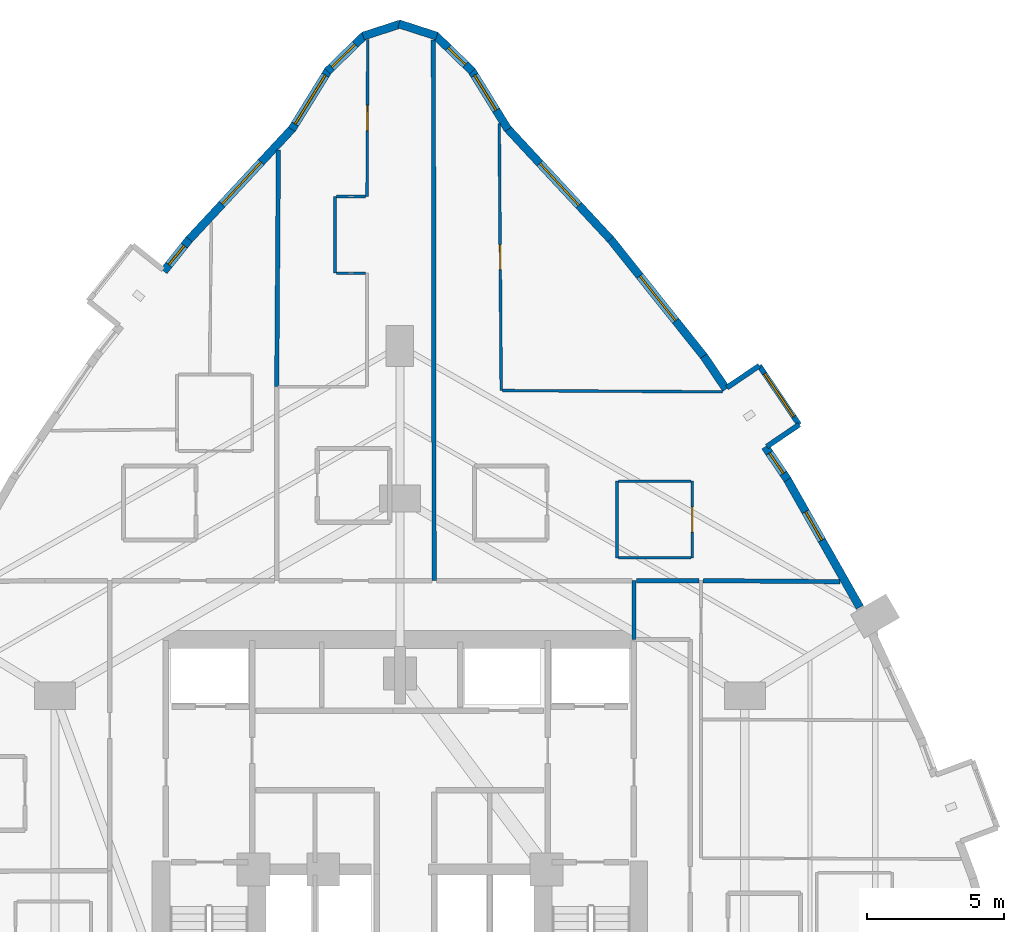
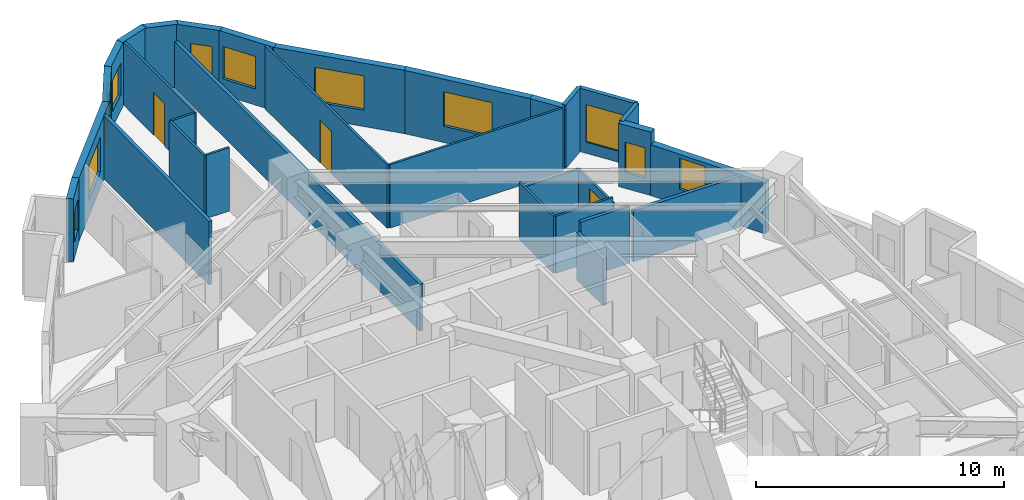
# One storey, part 13 of 15: 31 walls, 11 windows, 3 doors, 14 openings.
"""IFC4 building model written with IfcOpenShell, lengths in metres."""

from ifc_helpers import new_model, si_unit, direction, frame, frame_2d, origin, place, context, subcontext, project, spatial, rectangle, extrude, material, layer, layer_set, type_object, element, fill, save


model = new_model("IFC4")

# Units and contexts
model_context = context("Model", 3, precision=1e-05, world=origin(), true_north=direction((0.0, 1.0)))
body_context = subcontext(model_context, "Body", "Model", "MODEL_VIEW")
ifc_project = project(units=[si_unit("LENGTHUNIT", "METRE"), si_unit("AREAUNIT", "SQUARE_METRE"), si_unit("VOLUMEUNIT", "CUBIC_METRE"), si_unit("PLANEANGLEUNIT", "RADIAN"), si_unit("MASSUNIT", "GRAM", prefix="KILO")], contexts=[model_context])

# Site, building, storey
site_placement = place(None, origin())
site = spatial("IfcSite", under=ifc_project, at=site_placement, CompositionType="ELEMENT")
building_placement = place(site_placement, origin())
building = spatial("IfcBuilding", under=site, at=building_placement, Name="Miruveldt Soraemaru", CompositionType="ELEMENT")
storey_placement = place(building_placement, frame((0.0, 0.0, 39.39990234375)))
storey = spatial("IfcBuildingStorey", under=building, at=storey_placement, Name="L10", CompositionType="ELEMENT", Elevation=39.39990234375)

# Walls
ifc_material_1 = material(Name="White powder-coated aluminium EN AW-6060 T6", Category="aluminium")
ifc_layer_1 = layer(ifc_material_1, 0.18994140625, Name="White powder-coated aluminium EN AW-6060 T6", Category="aluminium")
ifc_layer_set_1 = layer_set([ifc_layer_1], Name="White powder-coated aluminium EN AW-6060 T6")
wall_type_1 = type_object("IfcWallType", Name="WALL-BAY-ALU190", PredefinedType="SOLIDWALL", material=ifc_layer_set_1)
wall_1_placement = place(storey_placement, frame((57.40478515625, 59.497314453125, 0.0), z_axis=(0.0, 0.0, 1.0), x_axis=(0.82794178844, 0.560814046681, 0.0)))
element("IfcWall", 1, at=wall_1_placement, inside=storey, type_object=wall_type_1, Name="L10 Bay Window Side Cheek 5L", PredefinedType="SOLIDWALL", context=body_context, shape_type="SweptSolid", body=[
    extrude(rectangle(XDim=1.4248046875, YDim=0.18994140625, at=frame_2d((0.71240234375, 0.0))), origin(), (0.0, 0.0, 1.0), 3.125),
])
wall_2_placement = place(storey_placement, frame((57.12646484375, 62.44921875, 0.0), z_axis=(0.0, 0.0, 1.0), x_axis=(-0.827916124573, -0.56085193293, 0.0)))
element("IfcWall", 2, at=wall_2_placement, inside=storey, type_object=wall_type_1, Name="L10 Bay Window Side Cheek 5R", PredefinedType="SOLIDWALL", context=body_context, shape_type="SweptSolid", body=[
    extrude(rectangle(XDim=1.42529296875, YDim=0.18994140625, at=frame_2d((0.712646484375, 0.0))), origin(), (0.0, 0.0, 1.0), 3.125),
])

# Wall, opening, window
wall_3_placement = place(storey_placement, frame((58.58447265625, 60.29638671875, 0.0), z_axis=(0.0, 0.0, 1.0), x_axis=(-0.560752637113, 0.827983381458, 0.0)))
wall_3 = element("IfcWall", 3, at=wall_3_placement, inside=storey, type_object=wall_type_1, Name="L10 Bay Window Front Frame 5", PredefinedType="SOLIDWALL", context=body_context, shape_type="SweptSolid", body=[
    extrude(rectangle(XDim=2.60009765625, YDim=0.18994140625, at=frame_2d((1.300048828125, 0.0))), origin(), (0.0, 0.0, 1.0), 3.125),
])
opening_1_placement = place(wall_3_placement, frame((0.35009765625, 0.0, 0.550048828125)))
opening_1 = element("IfcOpeningElement", 4, at=opening_1_placement, cuts=wall_3, Name="Opening WN-6", PredefinedType="OPENING", context=body_context, shape_type="SweptSolid", body=[
    extrude(rectangle(XDim=1.89990234375, YDim=1.85009765625, at=frame_2d((0.949951171875, 0.925048828125))), frame((0.0, 0.10498046875, 0.0), z_axis=(0.0, -1.0, 0.0), x_axis=(1.0, 0.0, 0.0)), (0.0, 0.0, 1.0), 0.2099609375),
])
ifc_material_2 = material(Name="Triple low-e insulated glazing", Category="glass")
window_type_1 = type_object("IfcWindowType", Name="WIN-BAYW-1900x1850", PartitioningType="SINGLE_PANEL", PredefinedType="WINDOW", material=ifc_material_2)
window_1_placement = place(opening_1_placement, origin())
window_1 = element("IfcWindow", 5, at=window_1_placement, inside=storey, type_object=window_type_1, Name="L10 Projecting Bay Window 5", OverallHeight=1.85009765625, OverallWidth=1.89990234375, PartitioningType="SINGLE_PANEL", PredefinedType="WINDOW", context=body_context, shape_type="SweptSolid", body=[
    extrude(rectangle(XDim=1.89990234375, YDim=1.85009765625, at=frame_2d((0.949951171875, 0.925048828125))), frame((0.0, 0.030029296875, 0.0), z_axis=(0.0, -1.0, 0.0), x_axis=(1.0, 0.0, 0.0)), (0.0, 0.0, 1.0), 0.06005859375),
])
fill(opening_1, window_1)

ifc_material_3 = material(Name="Precast concrete C45/55 (45 MPa)", Category="concrete")
ifc_layer_2 = layer(ifc_material_3, 0.300048828125, Name="Precast concrete C45/55 (45 MPa)", Category="concrete")
ifc_layer_set_2 = layer_set([ifc_layer_2], Name="Precast concrete C45/55 (45 MPa)")
wall_type_2 = type_object("IfcWallType", Name="WALL-EXT-PC300", PredefinedType="SOLIDWALL", material=ifc_layer_set_2)
wall_4_placement = place(storey_placement, frame((47.95068359375, 71.07958984375, 0.0), z_axis=(0.0, 0.0, 1.0), x_axis=(-0.526052747908, 0.850451942451, 0.0)))
wall_4 = element("IfcWall", 6, at=wall_4_placement, inside=storey, type_object=wall_type_2, Name="L10 Precast Concrete Facade Wall 1", PredefinedType="SOLIDWALL", context=body_context, shape_type="SweptSolid", body=[
    extrude(rectangle(XDim=2.561767578125, YDim=0.300048828125, at=frame_2d((1.28076171875, 0.0))), origin(), (0.0, 0.0, 1.0), 3.125),
])
opening_2_placement = place(wall_4_placement, frame((0.824951171875, 0.0, 0.800048828125)))
opening_2 = element("IfcOpeningElement", 7, at=opening_2_placement, cuts=wall_4, Name="Opening WN-3", PredefinedType="OPENING", context=body_context, shape_type="SweptSolid", body=[
    extrude(rectangle(XDim=1.5, YDim=1.60009765625, at=frame_2d((0.75, 0.800048828125))), frame((0.0, 0.16015625, 0.0), z_axis=(0.0, -1.0, 0.0), x_axis=(1.0, 0.0, 0.0)), (0.0, 0.0, 1.0), 0.320068359375),
])
window_type_2 = type_object("IfcWindowType", Name="WIN-PUNCH-1500x1600", PartitioningType="SINGLE_PANEL", PredefinedType="WINDOW", material=ifc_material_2)
window_2_placement = place(opening_2_placement, origin())
window_2 = element("IfcWindow", 8, at=window_2_placement, inside=storey, type_object=window_type_2, Name="L10 Punched Triple-Glazed Window 01.1", OverallHeight=1.60009765625, OverallWidth=1.5, PartitioningType="SINGLE_PANEL", PredefinedType="WINDOW", context=body_context, shape_type="SweptSolid", body=[
    extrude(rectangle(XDim=1.5, YDim=1.60009765625, at=frame_2d((0.75, 0.800048828125))), frame((0.0, 0.030029296875, 0.0), z_axis=(0.0, -1.0, 0.0), x_axis=(1.0, 0.0, 0.0)), (0.0, 0.0, 1.0), 0.06005859375),
])
fill(opening_2, window_2)

wall_5_placement = place(storey_placement, frame((46.646484375, 73.2041015625, 0.0), z_axis=(0.0, 0.0, 1.0), x_axis=(-0.717777521306, 0.696272525601, 0.0)))
wall_5 = element("IfcWall", 9, at=wall_5_placement, inside=storey, type_object=wall_type_2, Name="L10 Precast Concrete Facade Wall 2", PredefinedType="SOLIDWALL", context=body_context, shape_type="SweptSolid", body=[
    extrude(rectangle(XDim=1.89599609375, YDim=0.300048828125, at=frame_2d((0.947998046875, 0.0))), origin(), (0.0, 0.0, 1.0), 3.125),
])
opening_3_placement = place(wall_5_placement, frame((0.341064453125, 0.0, 0.780029296875)))
opening_3 = element("IfcOpeningElement", 10, at=opening_3_placement, cuts=wall_5, Name="Opening WN-7", PredefinedType="OPENING", context=body_context, shape_type="SweptSolid", body=[
    extrude(rectangle(XDim=0.89990234375, YDim=1.5, at=frame_2d((0.449951171875, 0.75))), frame((0.0, 0.16015625, 0.0), z_axis=(0.0, -1.0, 0.0), x_axis=(1.0, 0.0, 0.0)), (0.0, 0.0, 1.0), 0.320068359375),
])
window_type_3 = type_object("IfcWindowType", Name="WIN-PUNCH-900x1500", PartitioningType="SINGLE_PANEL", PredefinedType="WINDOW", material=ifc_material_2)
window_3_placement = place(opening_3_placement, origin())
window_3 = element("IfcWindow", 11, at=window_3_placement, inside=storey, type_object=window_type_3, Name="L10 Punched Triple-Glazed Window 02.1", OverallHeight=1.5, OverallWidth=0.89990234375, PartitioningType="SINGLE_PANEL", PredefinedType="WINDOW", context=body_context, shape_type="SweptSolid", body=[
    extrude(rectangle(XDim=0.89990234375, YDim=1.5, at=frame_2d((0.449951171875, 0.75))), frame((0.0, 0.030029296875, 0.0), z_axis=(0.0, -1.0, 0.0), x_axis=(1.0, 0.0, 0.0)), (0.0, 0.0, 1.0), 0.06005859375),
])
fill(opening_3, window_3)

# Walls
for number, where, z_axis, x_axis, name in (
    (12, (45.343994140625, 74.489013671875, 0.0), (0.0, 0.0, 1.0), (-0.951495359019, 0.307663097828, 0.0), "L10 Precast Concrete Facade Wall 3"),
    (13, (44.033203125, 74.934326171875, 0.0), (0.0, 0.0, 1.0), (-0.951495359019, -0.307663097828, 0.0), "L10 Precast Concrete Facade Wall 4"),
):
    element("IfcWall", number, at=place(storey_placement, frame(where, z_axis=z_axis, x_axis=x_axis)), inside=storey, type_object=wall_type_2, Name=name, PredefinedType="SOLIDWALL", context=body_context, shape_type="SweptSolid", body=[
        extrude(rectangle(XDim=1.447509765625, YDim=0.300048828125, at=frame_2d((0.7236328125, 0.0))), origin(), (0.0, 0.0, 1.0), 3.125),
    ])

# Wall, opening, window
wall_6_placement = place(storey_placement, frame((42.71435546875, 74.524169921875, 0.0), z_axis=(0.0, 0.0, 1.0), x_axis=(-0.717777521306, -0.696272525601, 0.0)))
wall_6 = element("IfcWall", 14, at=wall_6_placement, inside=storey, type_object=wall_type_2, Name="L10 Precast Concrete Facade Wall 5", PredefinedType="SOLIDWALL", context=body_context, shape_type="SweptSolid", body=[
    extrude(rectangle(XDim=1.89599609375, YDim=0.300048828125, at=frame_2d((0.947998046875, 0.0))), origin(), (0.0, 0.0, 1.0), 3.125),
])
opening_4_placement = place(wall_6_placement, frame((0.48095703125, 0.0, 0.780029296875)))
opening_4 = element("IfcOpeningElement", 15, at=opening_4_placement, cuts=wall_6, Name="Opening WN-4", PredefinedType="OPENING", context=body_context, shape_type="SweptSolid", body=[
    extrude(rectangle(XDim=1.199951171875, YDim=1.550048828125, at=frame_2d((0.60009765625, 0.77490234375))), frame((0.0, 0.16015625, 0.0), z_axis=(0.0, -1.0, 0.0), x_axis=(1.0, 0.0, 0.0)), (0.0, 0.0, 1.0), 0.320068359375),
])
window_type_4 = type_object("IfcWindowType", Name="WIN-PUNCH-1200x1550", PartitioningType="SINGLE_PANEL", PredefinedType="WINDOW", material=ifc_material_2)
window_4_placement = place(opening_4_placement, origin())
window_4 = element("IfcWindow", 16, at=window_4_placement, inside=storey, type_object=window_type_4, Name="L10 Punched Triple-Glazed Window 05.1", OverallHeight=1.550048828125, OverallWidth=1.199951171875, PartitioningType="SINGLE_PANEL", PredefinedType="WINDOW", context=body_context, shape_type="SweptSolid", body=[
    extrude(rectangle(XDim=1.199951171875, YDim=1.550048828125, at=frame_2d((0.60009765625, 0.77490234375))), frame((0.0, 0.030029296875, 0.0), z_axis=(0.0, -1.0, 0.0), x_axis=(1.0, 0.0, 0.0)), (0.0, 0.0, 1.0), 0.06005859375),
])
fill(opening_4, window_4)

wall_7_placement = place(storey_placement, frame((41.39697265625, 73.25830078125, 0.0), z_axis=(0.0, 0.0, 1.0), x_axis=(-0.526052747908, -0.850451942451, 0.0)))
wall_7 = element("IfcWall", 17, at=wall_7_placement, inside=storey, type_object=wall_type_2, Name="L10 Precast Concrete Facade Wall 6", PredefinedType="SOLIDWALL", context=body_context, shape_type="SweptSolid", body=[
    extrude(rectangle(XDim=2.561767578125, YDim=0.300048828125, at=frame_2d((1.28076171875, 0.0))), origin(), (0.0, 0.0, 1.0), 3.125),
])
opening_5_placement = place(wall_7_placement, frame((0.23095703125, 0.0, 0.800048828125)))
opening_5 = element("IfcOpeningElement", 18, at=opening_5_placement, cuts=wall_7, Name="Opening WN-1", PredefinedType="OPENING", context=body_context, shape_type="SweptSolid", body=[
    extrude(rectangle(XDim=2.10009765625, YDim=1.699951171875, at=frame_2d((1.050048828125, 0.85009765625))), frame((0.0, 0.16015625, 0.0), z_axis=(0.0, -1.0, 0.0), x_axis=(1.0, 0.0, 0.0)), (0.0, 0.0, 1.0), 0.320068359375),
])
window_type_5 = type_object("IfcWindowType", Name="WIN-PUNCH-2100x1700", PartitioningType="SINGLE_PANEL", PredefinedType="WINDOW", material=ifc_material_2)
window_5_placement = place(opening_5_placement, origin())
window_5 = element("IfcWindow", 19, at=window_5_placement, inside=storey, type_object=window_type_5, Name="L10 Punched Triple-Glazed Window 06.1", OverallHeight=1.699951171875, OverallWidth=2.10009765625, PartitioningType="SINGLE_PANEL", PredefinedType="WINDOW", context=body_context, shape_type="SweptSolid", body=[
    extrude(rectangle(XDim=2.10009765625, YDim=1.699951171875, at=frame_2d((1.050048828125, 0.85009765625))), frame((0.0, 0.030029296875, 0.0), z_axis=(0.0, -1.0, 0.0), x_axis=(1.0, 0.0, 0.0)), (0.0, 0.0, 1.0), 0.06005859375),
])
fill(opening_5, window_5)

wall_8_placement = place(storey_placement, frame((40.091552734375, 71.135009765625, 0.0), z_axis=(0.0, 0.0, 1.0), x_axis=(-0.680885361374, -0.732390008579, 0.0)))
wall_8 = element("IfcWall", 20, at=wall_8_placement, inside=storey, type_object=wall_type_2, Name="L10 Precast Concrete Facade Wall 7", PredefinedType="SOLIDWALL", context=body_context, shape_type="SweptSolid", body=[
    extrude(rectangle(XDim=5.62646484375, YDim=0.300048828125, at=frame_2d((2.813232421875, 0.0))), origin(), (0.0, 0.0, 1.0), 3.125),
])
opening_6_placement = place(wall_8_placement, frame((1.7041015625, 0.0, 0.800048828125)))
opening_6 = element("IfcOpeningElement", 21, at=opening_6_placement, cuts=wall_8, Name="Opening WN-1", PredefinedType="OPENING", context=body_context, shape_type="SweptSolid", body=[
    extrude(rectangle(XDim=2.10009765625, YDim=1.699951171875, at=frame_2d((1.050048828125, 0.85009765625))), frame((0.0, 0.16015625, 0.0), z_axis=(0.0, -1.0, 0.0), x_axis=(1.0, 0.0, 0.0)), (0.0, 0.0, 1.0), 0.320068359375),
])
window_6_placement = place(opening_6_placement, origin())
window_6 = element("IfcWindow", 22, at=window_6_placement, inside=storey, type_object=window_type_5, Name="L10 Punched Triple-Glazed Window 07.1", OverallHeight=1.699951171875, OverallWidth=2.10009765625, PartitioningType="SINGLE_PANEL", PredefinedType="WINDOW", context=body_context, shape_type="SweptSolid", body=[
    extrude(rectangle(XDim=2.10009765625, YDim=1.699951171875, at=frame_2d((1.050048828125, 0.85009765625))), frame((0.0, 0.030029296875, 0.0), z_axis=(0.0, -1.0, 0.0), x_axis=(1.0, 0.0, 0.0)), (0.0, 0.0, 1.0), 0.06005859375),
])
fill(opening_6, window_6)

wall_9_placement = place(storey_placement, frame((36.305908203125, 67.067138671875, 0.0), z_axis=(0.0, 0.0, 1.0), x_axis=(-0.623458304624, -0.781856599637, 0.0)))
wall_9 = element("IfcWall", 23, at=wall_9_placement, inside=storey, type_object=wall_type_2, Name="L10 Precast Pier Wall 8A", PredefinedType="SOLIDWALL", context=body_context, shape_type="SweptSolid", body=[
    extrude(rectangle(XDim=1.493408203125, YDim=0.300048828125, at=frame_2d((0.74658203125, 0.0))), origin(), (0.0, 0.0, 1.0), 3.125),
])
opening_7_placement = place(wall_9_placement, frame((0.297119140625, 0.0, 0.780029296875)))
opening_7 = element("IfcOpeningElement", 24, at=opening_7_placement, cuts=wall_9, Name="Opening WN-7", PredefinedType="OPENING", context=body_context, shape_type="SweptSolid", body=[
    extrude(rectangle(XDim=0.89990234375, YDim=1.5, at=frame_2d((0.449951171875, 0.75))), frame((0.0, 0.16015625, 0.0), z_axis=(0.0, -1.0, 0.0), x_axis=(1.0, 0.0, 0.0)), (0.0, 0.0, 1.0), 0.320068359375),
])
window_7_placement = place(opening_7_placement, origin())
window_7 = element("IfcWindow", 25, at=window_7_placement, inside=storey, type_object=window_type_3, Name="L10 Punched Triple-Glazed Window 08A.1", OverallHeight=1.5, OverallWidth=0.89990234375, PartitioningType="SINGLE_PANEL", PredefinedType="WINDOW", context=body_context, shape_type="SweptSolid", body=[
    extrude(rectangle(XDim=0.89990234375, YDim=1.5, at=frame_2d((0.449951171875, 0.75))), frame((0.0, 0.030029296875, 0.0), z_axis=(0.0, -1.0, 0.0), x_axis=(1.0, 0.0, 0.0)), (0.0, 0.0, 1.0), 0.06005859375),
])
fill(opening_7, window_7)

wall_10_placement = place(storey_placement, frame((60.80078125, 53.623291015625, 0.0), z_axis=(0.0, 0.0, 1.0), x_axis=(-0.493383808339, 0.869811713918, 0.0)))
wall_10 = element("IfcWall", 26, at=wall_10_placement, inside=storey, type_object=wall_type_2, Name="L10 Precast Concrete Facade Wall 39", PredefinedType="SOLIDWALL", context=body_context, shape_type="SweptSolid", body=[
    extrude(rectangle(XDim=5.42529296875, YDim=0.300048828125, at=frame_2d((2.712646484375, 0.0))), origin(), (0.0, 0.0, 1.0), 2.51318359375),
])
opening_8_placement = place(wall_10_placement, frame((2.81689453125, 0.0, 0.780029296875)))
opening_8 = element("IfcOpeningElement", 27, at=opening_8_placement, cuts=wall_10, Name="Opening WN-4", PredefinedType="OPENING", context=body_context, shape_type="SweptSolid", body=[
    extrude(rectangle(XDim=1.199951171875, YDim=1.550048828125, at=frame_2d((0.60009765625, 0.77490234375))), frame((0.0, 0.16015625, 0.0), z_axis=(0.0, -1.0, 0.0), x_axis=(1.0, 0.0, 0.0)), (0.0, 0.0, 1.0), 0.320068359375),
])
window_8_placement = place(opening_8_placement, origin())
window_8 = element("IfcWindow", 28, at=window_8_placement, inside=storey, type_object=window_type_4, Name="L10 Punched Triple-Glazed Window 39.1", OverallHeight=1.550048828125, OverallWidth=1.199951171875, PartitioningType="SINGLE_PANEL", PredefinedType="WINDOW", context=body_context, shape_type="SweptSolid", body=[
    extrude(rectangle(XDim=1.199951171875, YDim=1.550048828125, at=frame_2d((0.60009765625, 0.77490234375))), frame((0.0, 0.030029296875, 0.0), z_axis=(0.0, -1.0, 0.0), x_axis=(1.0, 0.0, 0.0)), (0.0, 0.0, 1.0), 0.06005859375),
])
fill(opening_8, window_8)

wall_11_placement = place(storey_placement, frame((58.160888671875, 58.28271484375, 0.0), z_axis=(0.0, 0.0, 1.0), x_axis=(-0.560822256603, 0.827936227314, 0.0)))
wall_11 = element("IfcWall", 29, at=wall_11_placement, inside=storey, type_object=wall_type_2, Name="L10 Precast Pier Wall 40A", PredefinedType="SOLIDWALL", context=body_context, shape_type="SweptSolid", body=[
    extrude(rectangle(XDim=1.459716796875, YDim=0.300048828125, at=frame_2d((0.72998046875, 0.0))), origin(), (0.0, 0.0, 1.0), 3.125),
])
opening_9_placement = place(wall_11_placement, frame((0.280029296875, 0.0, 0.780029296875)))
opening_9 = element("IfcOpeningElement", 30, at=opening_9_placement, cuts=wall_11, Name="Opening WN-7", PredefinedType="OPENING", context=body_context, shape_type="SweptSolid", body=[
    extrude(rectangle(XDim=0.89990234375, YDim=1.5, at=frame_2d((0.449951171875, 0.75))), frame((0.0, 0.16015625, 0.0), z_axis=(0.0, -1.0, 0.0), x_axis=(1.0, 0.0, 0.0)), (0.0, 0.0, 1.0), 0.320068359375),
])
window_9_placement = place(opening_9_placement, origin())
window_9 = element("IfcWindow", 31, at=window_9_placement, inside=storey, type_object=window_type_3, Name="L10 Punched Triple-Glazed Window 40A.1", OverallHeight=1.5, OverallWidth=0.89990234375, PartitioningType="SINGLE_PANEL", PredefinedType="WINDOW", context=body_context, shape_type="SweptSolid", body=[
    extrude(rectangle(XDim=0.89990234375, YDim=1.5, at=frame_2d((0.449951171875, 0.75))), frame((0.0, 0.030029296875, 0.0), z_axis=(0.0, -1.0, 0.0), x_axis=(1.0, 0.0, 0.0)), (0.0, 0.0, 1.0), 0.06005859375),
])
fill(opening_9, window_9)

# Wall
wall_12_placement = place(storey_placement, frame((55.91796875, 61.59423828125, 0.0), z_axis=(0.0, 0.0, 1.0), x_axis=(-0.560822256603, 0.827936227314, 0.0)))
element("IfcWall", 32, at=wall_12_placement, inside=storey, type_object=wall_type_2, Name="L10 Precast Pier Wall 40B", PredefinedType="SOLIDWALL", context=body_context, shape_type="SweptSolid", body=[
    extrude(rectangle(XDim=1.459716796875, YDim=0.300048828125, at=frame_2d((0.72998046875, 0.0))), origin(), (0.0, 0.0, 1.0), 3.125),
])

# Wall, opening, window
wall_13_placement = place(storey_placement, frame((55.140625, 62.746337890625, 0.0), z_axis=(0.0, 0.0, 1.0), x_axis=(-0.623579331228, 0.781760076792, 0.0)))
wall_13 = element("IfcWall", 33, at=wall_13_placement, inside=storey, type_object=wall_type_2, Name="L10 Precast Concrete Facade Wall 41", PredefinedType="SOLIDWALL", context=body_context, shape_type="SweptSolid", body=[
    extrude(rectangle(XDim=5.527099609375, YDim=0.300048828125, at=frame_2d((2.763671875, 0.0))), origin(), (0.0, 0.0, 1.0), 3.125),
])
opening_10_placement = place(wall_13_placement, frame((1.714111328125, 0.0, 0.800048828125)))
opening_10 = element("IfcOpeningElement", 34, at=opening_10_placement, cuts=wall_13, Name="Opening WN-1", PredefinedType="OPENING", context=body_context, shape_type="SweptSolid", body=[
    extrude(rectangle(XDim=2.10009765625, YDim=1.699951171875, at=frame_2d((1.050048828125, 0.85009765625))), frame((0.0, 0.16015625, 0.0), z_axis=(0.0, -1.0, 0.0), x_axis=(1.0, 0.0, 0.0)), (0.0, 0.0, 1.0), 0.320068359375),
])
window_10_placement = place(opening_10_placement, origin())
window_10 = element("IfcWindow", 35, at=window_10_placement, inside=storey, type_object=window_type_5, Name="L10 Punched Triple-Glazed Window 41.1", OverallHeight=1.699951171875, OverallWidth=2.10009765625, PartitioningType="SINGLE_PANEL", PredefinedType="WINDOW", context=body_context, shape_type="SweptSolid", body=[
    extrude(rectangle(XDim=2.10009765625, YDim=1.699951171875, at=frame_2d((1.050048828125, 0.85009765625))), frame((0.0, 0.030029296875, 0.0), z_axis=(0.0, -1.0, 0.0), x_axis=(1.0, 0.0, 0.0)), (0.0, 0.0, 1.0), 0.06005859375),
])
fill(opening_10, window_10)

wall_14_placement = place(storey_placement, frame((51.739501953125, 67.01416015625, 0.0), z_axis=(0.0, 0.0, 1.0), x_axis=(-0.680885361374, 0.732390008579, 0.0)))
wall_14 = element("IfcWall", 36, at=wall_14_placement, inside=storey, type_object=wall_type_2, Name="L10 Precast Concrete Facade Wall 42", PredefinedType="SOLIDWALL", context=body_context, shape_type="SweptSolid", body=[
    extrude(rectangle(XDim=5.62646484375, YDim=0.300048828125, at=frame_2d((2.813232421875, 0.0))), origin(), (0.0, 0.0, 1.0), 3.125),
])
opening_11_placement = place(wall_14_placement, frame((1.762939453125, 0.0, 0.800048828125)))
opening_11 = element("IfcOpeningElement", 37, at=opening_11_placement, cuts=wall_14, Name="Opening WN-1", PredefinedType="OPENING", context=body_context, shape_type="SweptSolid", body=[
    extrude(rectangle(XDim=2.10009765625, YDim=1.699951171875, at=frame_2d((1.050048828125, 0.85009765625))), frame((0.0, 0.16015625, 0.0), z_axis=(0.0, -1.0, 0.0), x_axis=(1.0, 0.0, 0.0)), (0.0, 0.0, 1.0), 0.320068359375),
])
window_11_placement = place(opening_11_placement, origin())
window_11 = element("IfcWindow", 38, at=window_11_placement, inside=storey, type_object=window_type_5, Name="L10 Punched Triple-Glazed Window 42.1", OverallHeight=1.699951171875, OverallWidth=2.10009765625, PartitioningType="SINGLE_PANEL", PredefinedType="WINDOW", context=body_context, shape_type="SweptSolid", body=[
    extrude(rectangle(XDim=2.10009765625, YDim=1.699951171875, at=frame_2d((1.050048828125, 0.85009765625))), frame((0.0, 0.030029296875, 0.0), z_axis=(0.0, -1.0, 0.0), x_axis=(1.0, 0.0, 0.0)), (0.0, 0.0, 1.0), 0.06005859375),
])
fill(opening_11, window_11)

# Wall, opening, door
ifc_material_4 = material(Name="Gypsum plasterboard lining", Category="gypsum")
ifc_layer_3 = layer(ifc_material_4, 0.10009765625, Name="Gypsum plasterboard lining", Category="gypsum")
ifc_layer_set_3 = layer_set([ifc_layer_3], Name="Gypsum plasterboard lining")
wall_type_3 = type_object("IfcWallType", Name="WALL-INT-P100", PredefinedType="PARTITIONING", material=ifc_layer_set_3)
wall_15_placement = place(storey_placement, frame((47.699951171875, 61.5419921875, 0.0), z_axis=(0.0, 0.0, 1.0), x_axis=(-0.007389577794, 0.999972696697, 0.0)))
wall_15 = element("IfcWall", 39, at=wall_15_placement, inside=storey, type_object=wall_type_3, Name="L10 Partition Wall 49", PredefinedType="PARTITIONING", context=body_context, shape_type="SweptSolid", body=[
    extrude(rectangle(XDim=9.746337890625, YDim=0.10009765625, at=frame_2d((4.873046875, 0.0))), origin(), (0.0, 0.0, 1.0), 3.125),
])
opening_12_placement = place(wall_15_placement, frame((4.4130859375, 0.0, 0.0)))
opening_12 = element("IfcOpeningElement", 40, at=opening_12_placement, cuts=wall_15, Name="Opening D3A", PredefinedType="OPENING", context=body_context, shape_type="SweptSolid", body=[
    extrude(rectangle(XDim=0.919921875, YDim=2.10009765625, at=frame_2d((0.4599609375, 1.050048828125))), frame((0.0, 0.06005859375, 0.0), z_axis=(0.0, -1.0, 0.0), x_axis=(1.0, 0.0, 0.0)), (0.0, 0.0, 1.0), 0.1201171875),
])
ifc_material_5 = material(Name="Anodised aluminium EN AW-6063 T6", Category="aluminium")
door_type = type_object("IfcDoorType", Name="DOOR-INT-920", OperationType="NOTDEFINED", PredefinedType="DOOR", material=ifc_material_5)
door_1_placement = place(opening_12_placement, origin())
door_1 = element("IfcDoor", 41, at=door_1_placement, inside=storey, type_object=door_type, Name="L10 Unit 1003 BD1 Door", OperationType="SINGLE_SWING_RIGHT", OverallHeight=2.10009765625, OverallWidth=0.919921875, PredefinedType="DOOR", context=body_context, shape_type="SweptSolid", body=[
    extrude(rectangle(XDim=0.919921875, YDim=2.10009765625, at=frame_2d((0.4599609375, 1.050048828125))), frame((0.0, 0.02490234375, 0.0), z_axis=(0.0, -1.0, 0.0), x_axis=(1.0, 0.0, 0.0)), (0.0, 0.0, 1.0), 0.050048828125),
])
fill(opening_12, door_1)

wall_16_placement = place(storey_placement, frame((42.825927734375, 74.3701171875, 0.0), z_axis=(0.0, 0.0, 1.0), x_axis=(-0.004508290353, -0.999989837607, 0.0)))
wall_16 = element("IfcWall", 42, at=wall_16_placement, inside=storey, type_object=wall_type_3, Name="L10 Partition Wall 33", PredefinedType="PARTITIONING", context=body_context, shape_type="SweptSolid", body=[
    extrude(rectangle(XDim=5.740234375, YDim=0.10009765625, at=frame_2d((2.8701171875, 0.0))), origin(), (0.0, 0.0, 1.0), 3.125),
])
opening_13_placement = place(wall_16_placement, frame((2.409912109375, 0.0, 0.0)))
opening_13 = element("IfcOpeningElement", 43, at=opening_13_placement, cuts=wall_16, Name="Opening D3A", PredefinedType="OPENING", context=body_context, shape_type="SweptSolid", body=[
    extrude(rectangle(XDim=0.919921875, YDim=2.10009765625, at=frame_2d((0.4599609375, 1.050048828125))), frame((0.0, 0.06005859375, 0.0), z_axis=(0.0, -1.0, 0.0), x_axis=(1.0, 0.0, 0.0)), (0.0, 0.0, 1.0), 0.1201171875),
])
door_2_placement = place(opening_13_placement, origin())
door_2 = element("IfcDoor", 44, at=door_2_placement, inside=storey, type_object=door_type, Name="L10 Unit 1002 BD1 Door", OperationType="SINGLE_SWING_RIGHT", OverallHeight=2.10009765625, OverallWidth=0.919921875, PredefinedType="DOOR", context=body_context, shape_type="SweptSolid", body=[
    extrude(rectangle(XDim=0.919921875, YDim=2.10009765625, at=frame_2d((0.4599609375, 1.050048828125))), frame((0.0, 0.02490234375, 0.0), z_axis=(0.0, -1.0, 0.0), x_axis=(1.0, 0.0, 0.0)), (0.0, 0.0, 1.0), 0.050048828125),
])
fill(opening_13, door_2)

wall_17_placement = place(storey_placement, frame((54.679931640625, 55.429931640625, 0.0), z_axis=(0.0, 0.0, 1.0), x_axis=(0.0, 1.0, 0.0)))
wall_17 = element("IfcWall", 45, at=wall_17_placement, inside=storey, type_object=wall_type_3, Name="L10 Partition Wall 44", PredefinedType="PARTITIONING", context=body_context, shape_type="SweptSolid", body=[
    extrude(rectangle(XDim=2.800048828125, YDim=0.10009765625, at=frame_2d((1.39990234375, 0.0))), origin(), (0.0, 0.0, 1.0), 2.51318359375),
])
opening_14_placement = place(wall_17_placement, frame((0.93994140625, 0.0, 0.0)))
opening_14 = element("IfcOpeningElement", 46, at=opening_14_placement, cuts=wall_17, Name="Opening D3A", PredefinedType="OPENING", context=body_context, shape_type="SweptSolid", body=[
    extrude(rectangle(XDim=0.919921875, YDim=2.10009765625, at=frame_2d((0.4599609375, 1.050048828125))), frame((0.0, 0.06005859375, 0.0), z_axis=(0.0, -1.0, 0.0), x_axis=(1.0, 0.0, 0.0)), (0.0, 0.0, 1.0), 0.1201171875),
])
door_3_placement = place(opening_14_placement, origin())
door_3 = element("IfcDoor", 47, at=door_3_placement, inside=storey, type_object=door_type, Name="L10 Unit 1003 KIT Door", OperationType="SINGLE_SWING_LEFT", OverallHeight=2.10009765625, OverallWidth=0.919921875, PredefinedType="DOOR", context=body_context, shape_type="SweptSolid", body=[
    extrude(rectangle(XDim=0.919921875, YDim=2.10009765625, at=frame_2d((0.4599609375, 1.050048828125))), frame((0.0, 0.02490234375, 0.0), z_axis=(0.0, -1.0, 0.0), x_axis=(1.0, 0.0, 0.0)), (0.0, 0.0, 1.0), 0.050048828125),
])
fill(opening_14, door_3)

# Walls
wall_18_placement = place(storey_placement, frame((55.785888671875, 61.493896484375, 0.0), z_axis=(0.0, 0.0, 1.0), x_axis=(-0.999982089691, 0.005985005975, 0.0)))
element("IfcWall", 48, at=wall_18_placement, inside=storey, type_object=wall_type_3, Name="L10 Partition Wall 48", PredefinedType="PARTITIONING", context=body_context, shape_type="SweptSolid", body=[
    extrude(rectangle(XDim=8.0361328125, YDim=0.10009765625, at=frame_2d((4.01806640625, 0.0))), origin(), (0.0, 0.0, 1.0), 3.125),
])
wall_19_placement = place(storey_placement, frame((41.6298828125, 68.6298828125, 0.0), z_axis=(0.0, 0.0, 1.0), x_axis=(0.0, -1.0, 0.0)))
element("IfcWall", 49, at=wall_19_placement, inside=storey, type_object=wall_type_3, Name="L10 Partition Wall 35", PredefinedType="PARTITIONING", context=body_context, shape_type="SweptSolid", body=[
    extrude(rectangle(XDim=2.7998046875, YDim=0.10009765625, at=frame_2d((1.39990234375, 0.0))), origin(), (0.0, 0.0, 1.0), 3.125),
])
wall_20_placement = place(storey_placement, frame((51.929931640625, 58.22998046875, 0.0), z_axis=(0.0, 0.0, 1.0), x_axis=(0.0, -1.0, 0.0)))
element("IfcWall", 50, at=wall_20_placement, inside=storey, type_object=wall_type_3, Name="L10 Partition Wall 46", PredefinedType="PARTITIONING", context=body_context, shape_type="SweptSolid", body=[
    extrude(rectangle(XDim=2.800048828125, YDim=0.10009765625, at=frame_2d((1.39990234375, 0.0))), origin(), (0.0, 0.0, 1.0), 2.81298828125),
])
wall_21_placement = place(storey_placement, frame((54.6298828125, 58.22998046875, 0.0), z_axis=(0.0, 0.0, 1.0), x_axis=(-1.0, 0.0, 0.0)))
element("IfcWall", 51, at=wall_21_placement, inside=storey, type_object=wall_type_3, Name="L10 Partition Wall 45", PredefinedType="PARTITIONING", context=body_context, shape_type="SweptSolid", body=[
    extrude(rectangle(XDim=2.64990234375, YDim=0.10009765625, at=frame_2d((1.324951171875, 0.0))), origin(), (0.0, 0.0, 1.0), 2.51318359375),
])
wall_22_placement = place(storey_placement, frame((51.97998046875, 55.429931640625, 0.0), z_axis=(0.0, 0.0, 1.0), x_axis=(1.0, 0.0, 0.0)))
element("IfcWall", 52, at=wall_22_placement, inside=storey, type_object=wall_type_3, Name="L10 Partition Wall 47", PredefinedType="PARTITIONING", context=body_context, shape_type="SweptSolid", body=[
    extrude(rectangle(XDim=2.64990234375, YDim=0.10009765625, at=frame_2d((1.324951171875, 0.0))), origin(), (0.0, 0.0, 1.0), 2.81298828125),
])
for number, where, z_axis, x_axis, name in (
    (53, (42.75, 68.6298828125, 0.0), (0.0, 0.0, 1.0), (-1.0, 0.0, 0.0), "L10 Partition Wall 34"),
    (54, (41.679931640625, 65.830078125, 0.0), (0.0, 0.0, 1.0), (1.0, 0.0, 0.0), "L10 Partition Wall 36"),
):
    element("IfcWall", number, at=place(storey_placement, frame(where, z_axis=z_axis, x_axis=x_axis)), inside=storey, type_object=wall_type_3, Name=name, PredefinedType="PARTITIONING", context=body_context, shape_type="SweptSolid", body=[
        extrude(rectangle(XDim=1.070068359375, YDim=0.10009765625, at=frame_2d((0.53515625, 0.0))), origin(), (0.0, 0.0, 1.0), 3.125),
    ])
ifc_material_6 = material(Name="Concrete C40/50 (40 MPa)", Category="concrete")
ifc_layer_4 = layer(ifc_material_6, 0.159912109375, Name="Concrete C40/50 (40 MPa)", Category="concrete")
ifc_layer_set_4 = layer_set([ifc_layer_4], Name="Concrete C40/50 (40 MPa)")
wall_type_4 = type_object("IfcWallType", Name="WALL-INT-RC160", PredefinedType="SOLIDWALL", material=ifc_layer_set_4)
wall_23_placement = place(storey_placement, frame((45.25, 54.60302734375, 0.0), z_axis=(0.0, 0.0, 1.0), x_axis=(-0.001371995149, 0.999999058814, 0.0)))
element("IfcWall", 55, at=wall_23_placement, inside=storey, type_object=wall_type_4, Name="L10 Partition Wall 39", PredefinedType="SOLIDWALL", context=body_context, shape_type="SweptSolid", body=[
    extrude(rectangle(XDim=19.751953125, YDim=0.159912109375, at=frame_2d((9.8759765625, 0.0))), origin(), (0.0, 0.0, 1.0), 2.31298828125),
])
wall_24_placement = place(storey_placement, frame((39.5, 61.68408203125, 0.0), z_axis=(0.0, 0.0, 1.0), x_axis=(0.00717799792, 0.999974237841, 0.0)))
element("IfcWall", 56, at=wall_24_placement, inside=storey, type_object=wall_type_4, Name="L10 Partition Wall 24", PredefinedType="SOLIDWALL", context=body_context, shape_type="SweptSolid", body=[
    extrude(rectangle(XDim=8.63916015625, YDim=0.159912109375, at=frame_2d((4.319580078125, 0.0))), origin(), (0.0, 0.0, 1.0), 3.125),
])
wall_25_placement = place(storey_placement, frame((55.080078125, 54.59912109375, 0.0), z_axis=(0.0, 0.0, 1.0), x_axis=(0.999969483819, -0.007812261592, 0.0)))
element("IfcWall", 57, at=wall_25_placement, inside=storey, type_object=wall_type_4, Name="L10 Partition Wall 51", PredefinedType="SOLIDWALL", context=body_context, shape_type="SweptSolid", body=[
    extrude(rectangle(XDim=5.000244140625, YDim=0.159912109375, at=frame_2d((2.5, 0.0))), origin(), (0.0, 0.0, 1.0), 2.51318359375),
])
wall_26_placement = place(storey_placement, frame((52.633056640625, 54.60009765625, 0.0), z_axis=(0.0, 0.0, 1.0), x_axis=(1.0, 0.0, 0.0)))
element("IfcWall", 58, at=wall_26_placement, inside=storey, type_object=wall_type_4, Name="L10 Partition Wall 50", PredefinedType="SOLIDWALL", context=body_context, shape_type="SweptSolid", body=[
    extrude(rectangle(XDim=2.286865234375, YDim=0.159912109375, at=frame_2d((1.1435546875, 0.0))), origin(), (0.0, 0.0, 1.0), 2.81298828125),
])
wall_27_placement = place(storey_placement, frame((52.550048828125, 52.449951171875, 0.0), z_axis=(0.0, 0.0, 1.0), x_axis=(0.0, 1.0, 0.0)))
element("IfcWall", 59, at=wall_27_placement, inside=storey, type_object=wall_type_4, Name="L10 Partition Wall 8", PredefinedType="SOLIDWALL", context=body_context, shape_type="SweptSolid", body=[
    extrude(rectangle(XDim=2.14697265625, YDim=0.159912109375, at=frame_2d((1.073486328125, 0.0))), origin(), (0.0, 0.0, 1.0), 2.31298828125),
])

save(model, "model.ifc")
